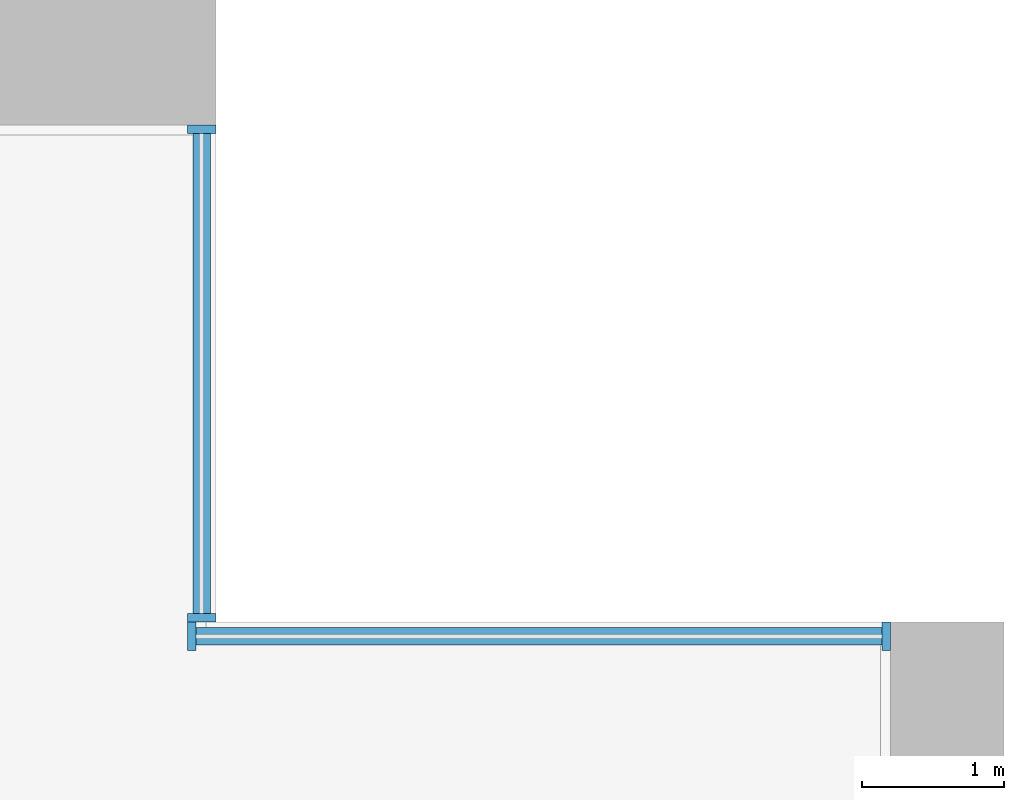
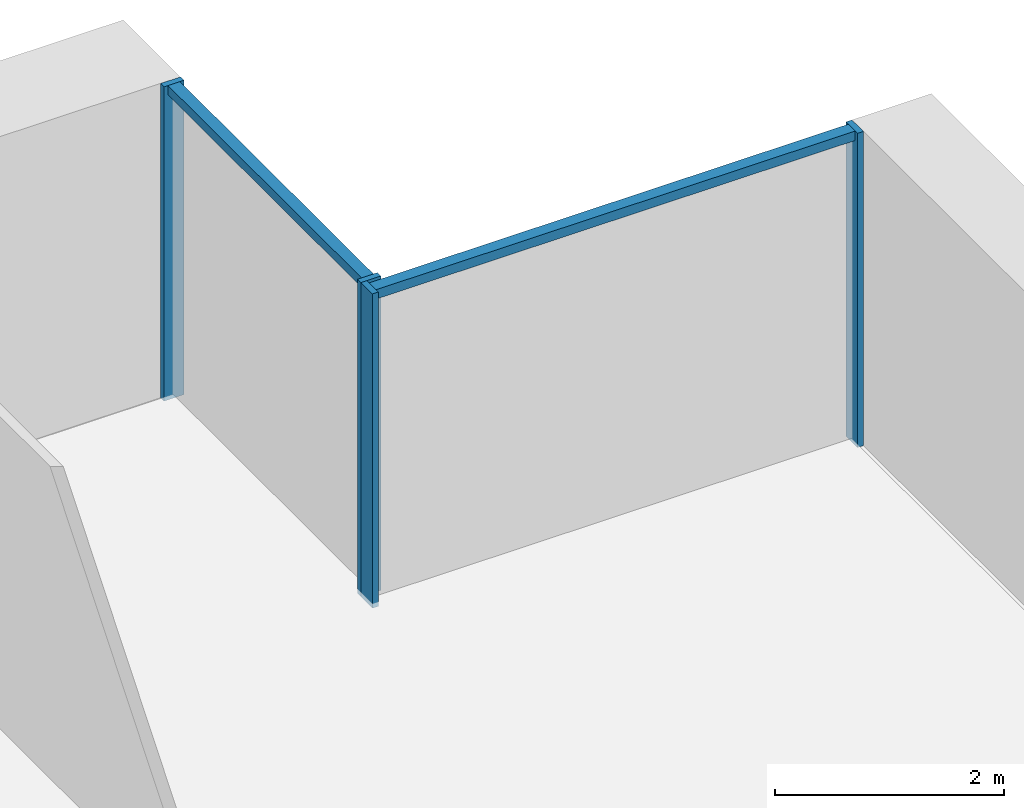
# One storey, part 6 of 18: 6 members, 2 elements without a shape of their own.
"""IFC4 building model written with IfcOpenShell, lengths in metres."""

import ifcopenshell
import ifcopenshell.guid

model = None  # the IFC model being written
_history = None  # IfcOwnerHistory: only IFC2X3 demands one
_inside = {}  # id of a spatial element -> (the spatial element, [elements in it])
_under = {}  # id of a project, library or spatial element -> (it, [spatial elements below it])
_declared = {}  # id of a project -> (the project, [libraries it declares])
_typed = {}  # id of a type object -> (the type object, [elements of that type])
_made_of = {}  # id of a material, layer set ... -> (it, [elements and type objects made of it])


def new_model(schema):
    """Start an empty IFC model of exactly this schema.

    Asked for "IFC4X3", IfcOpenShell would pick the latest addendum, in which some entities
    have other attributes; the version numbers below select the first issue.
    IFC2X3 requires an IfcOwnerHistory on every rooted entity: one is made here for all.
    """
    global model, _history
    if schema == "IFC4X3":
        model = ifcopenshell.file(schema_version=(4, 3, 0, 0))
    else:
        model = ifcopenshell.file(schema=schema)
    _inside.clear()
    _under.clear()
    _declared.clear()
    _typed.clear()
    _made_of.clear()
    _history = None
    if model.schema == "IFC2X3":
        org = make("IfcOrganization", Name="unknown")
        user = make(
            "IfcPersonAndOrganization",
            ThePerson=make("IfcPerson", FamilyName="unknown"),
            TheOrganization=org,
        )
        app = make(
            "IfcApplication",
            ApplicationDeveloper=org,
            Version="unknown",
            ApplicationFullName="unknown",
            ApplicationIdentifier="unknown",
        )
        _history = make(
            "IfcOwnerHistory",
            OwningUser=user,
            OwningApplication=app,
            ChangeAction="ADDED",
            CreationDate=0,
        )
    return model


def make(cls, **values):
    """One entity of the class cls with the attributes given. An attribute that is None is left unset."""
    return model.create_entity(
        cls, **{name: value for name, value in values.items() if value is not None}
    )


def rooted(cls, **values):
    """An entity with a GlobalId (a new one), such as an element, a storey or a relation."""
    return make(cls, GlobalId=ifcopenshell.guid.new(), OwnerHistory=_history, **values)


def si_unit(unit_type, name, prefix=None):
    """IfcSIUnit, for example si_unit("LENGTHUNIT", "METRE", prefix="MILLI")."""
    return make("IfcSIUnit", UnitType=unit_type, Prefix=prefix, Name=name)


def assignment(units):
    """IfcUnitAssignment: the units of a project."""
    return None if units is None else make("IfcUnitAssignment", Units=units)


def point(xyz):
    """IfcCartesianPoint."""
    return None if xyz is None else make("IfcCartesianPoint", Coordinates=xyz)


def direction(xyz):
    """IfcDirection."""
    return None if xyz is None else make("IfcDirection", DirectionRatios=xyz)


def frame(location, z_axis=None, x_axis=None):
    """IfcAxis2Placement3D, a coordinate frame: its origin and axes. An axis left out is left unset."""
    return make(
        "IfcAxis2Placement3D",
        Location=point(location),
        Axis=direction(z_axis),
        RefDirection=direction(x_axis),
    )


def frame_2d(location, x_axis=None):
    """IfcAxis2Placement2D, a coordinate frame in the plane: its origin and x axis."""
    return make(
        "IfcAxis2Placement2D", Location=point(location), RefDirection=direction(x_axis)
    )


def origin():
    """The frame at (0, 0, 0) with its axes left unset."""
    return frame((0.0, 0.0, 0.0))


def origin_2d():
    """The frame at (0, 0) in the plane with its x axis left unset."""
    return frame_2d((0.0, 0.0))


def place(relative_to, where):
    """IfcLocalPlacement: puts the frame where relative to a parent placement (None: the world)."""
    return make(
        "IfcLocalPlacement", PlacementRelTo=relative_to, RelativePlacement=where
    )


def context(
    kind, dimensions, precision=None, world=None, true_north=None, identifier=None
):
    """IfcGeometricRepresentationContext, for example the 3D "Model" context."""
    return make(
        "IfcGeometricRepresentationContext",
        ContextIdentifier=identifier,
        ContextType=kind,
        CoordinateSpaceDimension=dimensions,
        Precision=precision,
        WorldCoordinateSystem=world,
        TrueNorth=true_north,
    )


def subcontext(parent, identifier, kind, view, scale=None):
    """IfcGeometricRepresentationSubContext, for example "Body" below "Model"."""
    return make(
        "IfcGeometricRepresentationSubContext",
        ContextIdentifier=identifier,
        ContextType=kind,
        ParentContext=parent,
        TargetScale=scale,
        TargetView=view,
    )


def project(units=None, contexts=None):
    """IfcProject with its units and contexts."""
    return rooted(
        "IfcProject",
        Name="project",
        RepresentationContexts=contexts,
        UnitsInContext=assignment(units),
    )


def spatial(cls, under=None, at=None, **own):
    """A site, building, storey or space (cls), placed at a placement, below another one or the project."""
    s = rooted(cls, ObjectPlacement=at, **own)
    if under is not None:
        _under.setdefault(under.id(), (under, []))[1].append(s)
    return s


def profile(cls, at=None, kind="AREA", **sizes):
    """A parametric profile (cls). Its sizes go by their IFC names, for example OverallWidth=200.0."""
    return make(cls, ProfileType=kind, Position=at, **sizes)


def rectangle(**sizes):
    """IfcRectangleProfileDef."""
    return profile("IfcRectangleProfileDef", **sizes)


def extrude(swept, where, along, depth):
    """IfcExtrudedAreaSolid: the profile swept, set in the frame where, extruded along a direction by depth."""
    return make(
        "IfcExtrudedAreaSolid",
        SweptArea=swept,
        Position=where,
        ExtrudedDirection=direction(along),
        Depth=depth,
    )


def shape(context_of_items, identifier, shape_type, items):
    """IfcShapeRepresentation: the items that make up one representation, for example the "Body"."""
    return make(
        "IfcShapeRepresentation",
        ContextOfItems=context_of_items,
        RepresentationIdentifier=identifier,
        RepresentationType=shape_type,
        Items=items,
    )


def material(Name=None, Category=None):
    """IfcMaterial."""
    return make("IfcMaterial", Name=Name, Category=Category)


def material_profile(
    of_material, cross_section, Name=None, Category=None, Priority=None
):
    """IfcMaterialProfile: a cross section and its material."""
    return make(
        "IfcMaterialProfile",
        Name=Name,
        Material=of_material,
        Profile=cross_section,
        Priority=Priority,
        Category=Category,
    )


def profile_set(profiles, Name=None, composite=None):
    """IfcMaterialProfileSet."""
    return make(
        "IfcMaterialProfileSet",
        Name=Name,
        MaterialProfiles=profiles,
        CompositeProfile=composite,
    )


def made_of(thing, what):
    """Note that an element or type object is made of a material, layer set ...; save() writes the relation."""
    if what is not None:
        _made_of.setdefault(what.id(), (what, []))[1].append(thing)
    return thing


def type_object(cls, material=None, **own):
    """A type object (cls), such as IfcWallType, which elements share."""
    return made_of(rooted(cls, **own), material)


def element(
    cls,
    number,
    at=None,
    inside=None,
    cuts=None,
    type_object=None,
    material=None,
    context=None,
    identifier="Body",
    shape_type=None,
    held_by="IfcProductDefinitionShape",
    body=None,
    shapes=None,
    **own,
):
    """One element of the class cls, such as IfcWall. Its Tag is "e" and its number.

    at: its placement. inside: the storey or other place that contains it. cuts: it is an
    opening in that element (IfcRelVoidsElement). A single representation is given by context,
    identifier, shape_type and body (its items); several are given by shapes. held_by: the class
    of the entity that holds the representations. save() writes the other relations.
    """
    e = rooted(cls, Tag="e%d" % number, ObjectPlacement=at, **own)
    if body is not None:
        shapes = [shape(context, identifier, shape_type, body)]
    if shapes is not None:
        e.Representation = make(held_by, Representations=shapes)
    if inside is not None:
        _inside.setdefault(inside.id(), (inside, []))[1].append(e)
    if cuts is not None:
        rooted(
            "IfcRelVoidsElement", RelatingBuildingElement=cuts, RelatedOpeningElement=e
        )
    if type_object is not None:
        _typed.setdefault(type_object.id(), (type_object, []))[1].append(e)
    return made_of(e, material)


def aggregate(whole, parts):
    """IfcRelAggregates: a whole, such as a stair, and the parts it consists of."""
    return rooted("IfcRelAggregates", RelatingObject=whole, RelatedObjects=parts)


def save(model, path):
    """Write the relations noted so far, then the file.

    IfcRelAggregates (storeys below a building ...), IfcRelContainedInSpatialStructure (elements
    in a storey), IfcRelDefinesByType, IfcRelAssociatesMaterial and IfcRelDeclares: one each for
    every whole, place, type object, material and project.
    """
    for whole, parts in _under.values():
        aggregate(whole, parts)
    for where, things in _inside.values():
        rooted(
            "IfcRelContainedInSpatialStructure",
            RelatedElements=things,
            RelatingStructure=where,
        )
    for kind, things in _typed.values():
        rooted("IfcRelDefinesByType", RelatedObjects=things, RelatingType=kind)
    for what, things in _made_of.values():
        rooted("IfcRelAssociatesMaterial", RelatedObjects=things, RelatingMaterial=what)
    for by, libraries in _declared.values():
        rooted("IfcRelDeclares", RelatingContext=by, RelatedDefinitions=libraries)
    model.write(path)


model = new_model("IFC4")

# Units and contexts
model_context = context("Model", 3, precision=1e-05, world=origin(), true_north=direction((0.0, 1.0)))
body_context = subcontext(model_context, "Body", "Model", "MODEL_VIEW")
ifc_project = project(units=[si_unit("LENGTHUNIT", "METRE"), si_unit("AREAUNIT", "SQUARE_METRE"), si_unit("VOLUMEUNIT", "CUBIC_METRE"), si_unit("PLANEANGLEUNIT", "RADIAN"), si_unit("MASSUNIT", "GRAM", prefix="KILO")], contexts=[model_context])

# Site, building, storey
site_placement = place(None, origin())
site = spatial("IfcSite", under=ifc_project, at=site_placement, CompositionType="ELEMENT")
building_placement = place(site_placement, origin())
building = spatial("IfcBuilding", under=site, at=building_placement, Name="Calvaro Tower", CompositionType="ELEMENT")
storey_placement = place(building_placement, frame((0.0, 0.0, 26.25)))
storey = spatial("IfcBuildingStorey", under=building, at=storey_placement, Name="L05", CompositionType="ELEMENT", Elevation=26.25)

# Curtain wall, members
ifc_material_1 = material(Name="Anodised aluminium", Category="aluminium")
curtain_wall_type = type_object("IfcCurtainWallType", Name="Office curtain wall, lower zone", PredefinedType="NOTDEFINED", material=ifc_material_1)
curtain_wall_1_placement = place(storey_placement, origin())
curtain_wall_1 = element("IfcCurtainWall", 1, at=curtain_wall_1_placement, inside=storey, type_object=curtain_wall_type, Name="CW1 corner curtain wall", PredefinedType="NOTDEFINED")
ifc_material_2 = material(Name="Anodised aluminium", Category="aluminium")
ifc_material_profile_1 = material_profile(ifc_material_2, rectangle(XDim=0.199951171875, YDim=0.06005859375, at=origin_2d()), Name="Mullion S1 60 x 200")
ifc_profile_set_1 = profile_set([ifc_material_profile_1], Name="Anodised aluminium")
member_type_1 = type_object("IfcMemberType", Name="Mullion S1 60 x 200", PredefinedType="MULLION", material=ifc_profile_set_1)
member_1_placement = place(storey_placement, frame((72.35009765625, 41.530029296875, 0.0), z_axis=(0.0, 0.0, 1.0), x_axis=(-1.0, 0.0, 0.0)))
member_1 = element("IfcMember", 2, at=member_1_placement, type_object=member_type_1, Name="CW1 mullion 1", PredefinedType="MULLION", context=body_context, shape_type="SweptSolid", body=[
    extrude(rectangle(XDim=0.199951171875, YDim=0.06005859375, at=origin_2d()), origin(), (0.0, 0.0, 1.0), 3.35009765625),
])
member_2_placement = place(storey_placement, frame((72.35009765625, 44.969970703125, 0.0), z_axis=(0.0, 0.0, 1.0), x_axis=(-1.0, 0.0, 0.0)))
member_2 = element("IfcMember", 3, at=member_2_placement, type_object=member_type_1, Name="CW1 mullion 2", PredefinedType="MULLION", context=body_context, shape_type="SweptSolid", body=[
    extrude(rectangle(XDim=0.199951171875, YDim=0.06005859375, at=origin_2d()), origin(), (0.0, 0.0, 1.0), 3.35009765625),
])

curtain_wall_2_placement = place(storey_placement, origin())
curtain_wall_2 = element("IfcCurtainWall", 4, at=curtain_wall_2_placement, inside=storey, type_object=curtain_wall_type, Name="CW1 corner curtain wall", PredefinedType="NOTDEFINED")
member_3_placement = place(storey_placement, frame((72.280029296875, 41.39990234375, 0.0), z_axis=(0.0, 0.0, 1.0), x_axis=(0.0, 1.0, 0.0)))
member_3 = element("IfcMember", 5, at=member_3_placement, type_object=member_type_1, Name="CW1 mullion 1", PredefinedType="MULLION", context=body_context, shape_type="SweptSolid", body=[
    extrude(rectangle(XDim=0.199951171875, YDim=0.06005859375, at=origin_2d()), origin(), (0.0, 0.0, 1.0), 3.35009765625),
])
member_4_placement = place(storey_placement, frame((77.169921875, 41.39990234375, 0.0), z_axis=(0.0, 0.0, 1.0), x_axis=(0.0, 1.0, 0.0)))
member_4 = element("IfcMember", 6, at=member_4_placement, type_object=member_type_1, Name="CW1 mullion 2", PredefinedType="MULLION", context=body_context, shape_type="SweptSolid", body=[
    extrude(rectangle(XDim=0.199951171875, YDim=0.06005859375, at=origin_2d()), origin(), (0.0, 0.0, 1.0), 3.35009765625),
])

# Member
ifc_material_3 = material(Name="Anodised aluminium", Category="aluminium")
ifc_material_profile_2 = material_profile(ifc_material_3, rectangle(XDim=0.1201171875, YDim=0.10009765625, at=origin_2d()), Name="Transom S1 100 x 120")
ifc_profile_set_2 = profile_set([ifc_material_profile_2], Name="Anodised aluminium")
member_type_2 = type_object("IfcMemberType", Name="Transom S1 100 x 120", PredefinedType="USERDEFINED", material=ifc_profile_set_2)
member_5_placement = place(storey_placement, frame((72.35009765625, 41.56005859375, 3.300048828125), z_axis=(0.0, 1.0, 0.0), x_axis=(-1.0, 0.0, 0.0)))
member_5 = element("IfcMember", 7, at=member_5_placement, type_object=member_type_2, Name="CW1 transom 1.1", ObjectType="TRANSOM", PredefinedType="USERDEFINED", context=body_context, shape_type="SweptSolid", body=[
    extrude(rectangle(XDim=0.1201171875, YDim=0.10009765625, at=origin_2d()), origin(), (0.0, 0.0, 1.0), 3.3798828125),
])

aggregate(curtain_wall_1, [member_1, member_2, member_5])

member_6_placement = place(storey_placement, frame((72.31005859375, 41.39990234375, 3.300048828125), z_axis=(1.0, 0.0, 0.0), x_axis=(0.0, 1.0, 0.0)))
member_6 = element("IfcMember", 8, at=member_6_placement, type_object=member_type_2, Name="CW1 transom 1.1", ObjectType="TRANSOM", PredefinedType="USERDEFINED", context=body_context, shape_type="SweptSolid", body=[
    extrude(rectangle(XDim=0.1201171875, YDim=0.10009765625, at=origin_2d()), origin(), (0.0, 0.0, 1.0), 4.829833984375),
])

aggregate(curtain_wall_2, [member_3, member_4, member_6])

save(model, "model.ifc")
